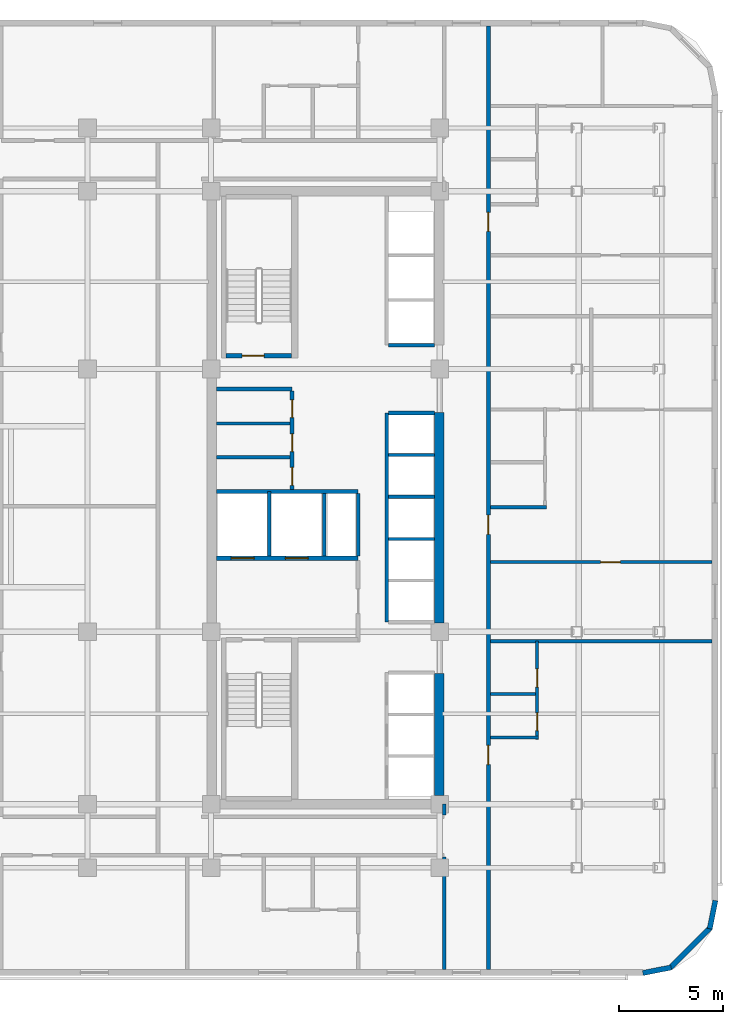
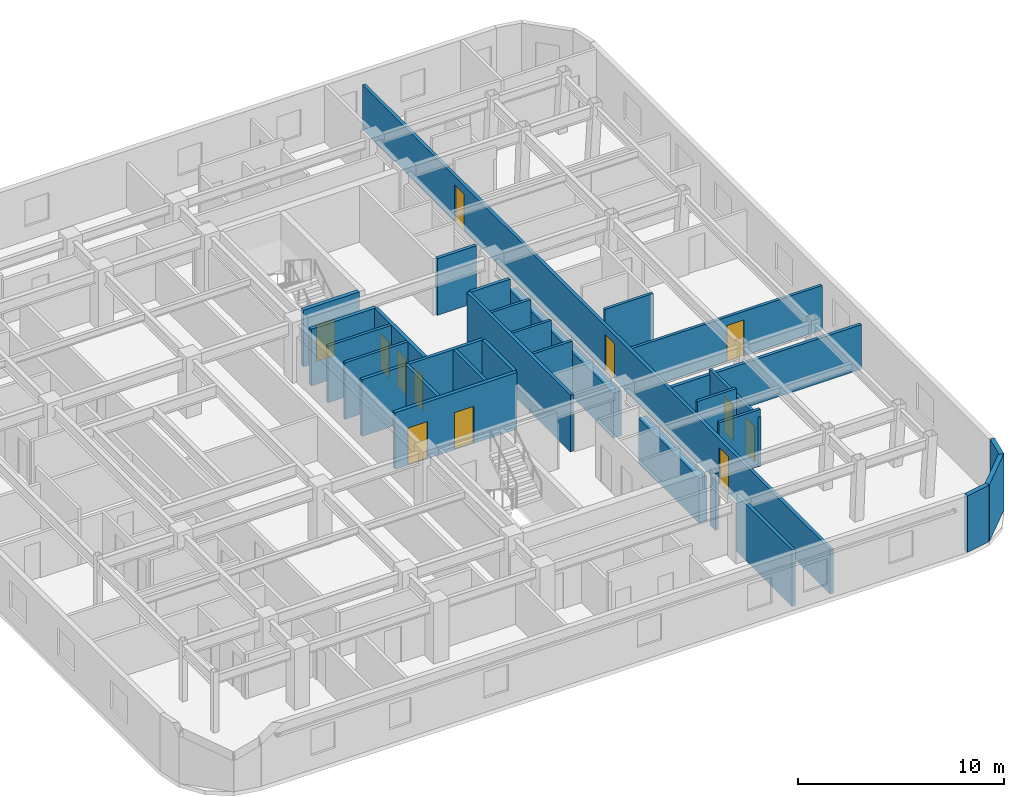
# One storey, part 8 of 14: 30 walls, 12 doors, 12 openings.
"""IFC4 building model written with IfcOpenShell, lengths in metres."""

from ifc_helpers import new_model, si_unit, direction, frame, frame_2d, origin, place, context, subcontext, project, spatial, rectangle, extrude, material, layer, layer_set, type_object, element, fill, save


model = new_model("IFC4")

# Units and contexts
model_context = context("Model", 3, precision=1e-05, world=origin(), true_north=direction((0.0, 1.0)))
body_context = subcontext(model_context, "Body", "Model", "MODEL_VIEW")
ifc_project = project(units=[si_unit("LENGTHUNIT", "METRE"), si_unit("AREAUNIT", "SQUARE_METRE"), si_unit("VOLUMEUNIT", "CUBIC_METRE"), si_unit("PLANEANGLEUNIT", "RADIAN"), si_unit("MASSUNIT", "GRAM", prefix="KILO")], contexts=[model_context])

# Site, building, storey
site_placement = place(None, origin())
site = spatial("IfcSite", under=ifc_project, at=site_placement, CompositionType="ELEMENT")
building_placement = place(site_placement, origin())
building = spatial("IfcBuilding", under=site, at=building_placement, Name="Ochreholt Gables", CompositionType="ELEMENT")
storey_placement = place(building_placement, frame((0.0, 0.0, 52.800048828125)))
storey = spatial("IfcBuildingStorey", under=building, at=storey_placement, Name="L13", CompositionType="ELEMENT", Elevation=52.800048828125)

# Walls
ifc_material_1 = material(Name="Concrete 60 MPa", Category="concrete")
ifc_layer_1 = layer(ifc_material_1, 0.449951171875, Name="Concrete 60 MPa")
ifc_layer_set_1 = layer_set([ifc_layer_1], Name="Concrete 60 MPa")
wall_type_1 = type_object("IfcWallType", Name="WALL-CSW-450", PredefinedType="SHEAR", material=ifc_layer_set_1)
wall_1_placement = place(storey_placement, frame((35.175048828125, 9.675048828125, 0.0), z_axis=(0.0, 0.0, 1.0), x_axis=(0.0, 1.0, 0.0)))
element("IfcWall", 1, at=wall_1_placement, inside=storey, type_object=wall_type_1, Name="L13 Core South-East Shear Wall", PredefinedType="SHEAR", context=body_context, shape_type="SweptSolid", body=[
    extrude(rectangle(XDim=5.875, YDim=0.449951171875, at=frame_2d((2.9375, 0.0))), origin(), (0.0, 0.0, 1.0), 2.6669921875),
])
wall_2_placement = place(storey_placement, frame((35.175048828125, 17.97509765625, 0.0), z_axis=(0.0, 0.0, 1.0), x_axis=(0.0, 1.0, 0.0)))
element("IfcWall", 2, at=wall_2_placement, inside=storey, type_object=wall_type_1, Name="L13 Core Central-East Shear Wall", PredefinedType="SHEAR", context=body_context, shape_type="SweptSolid", body=[
    extrude(rectangle(XDim=10.125, YDim=0.449951171875, at=frame_2d((5.0625, 0.0))), origin(), (0.0, 0.0, 1.0), 2.6669921875),
])
ifc_material_2 = material(Name="Precast concrete 40 MPa", Category="concrete")
ifc_layer_2 = layer(ifc_material_2, 0.25, Name="Precast concrete 40 MPa")
ifc_layer_set_2 = layer_set([ifc_layer_2], Name="Precast concrete 40 MPa")
wall_type_2 = type_object("IfcWallType", Name="WALL-EXT-CNR", PredefinedType="SOLIDWALL", material=ifc_layer_set_2)
wall_3_placement = place(storey_placement, frame((44.9833984375, 1.124267578125, 0.0), z_axis=(0.0, 0.0, 1.0), x_axis=(0.980809899341, 0.19496651342, 0.0)))
element("IfcWall", 3, at=wall_3_placement, inside=storey, type_object=wall_type_2, Name="L13 Rounded Corner Wall SE-1", PredefinedType="SOLIDWALL", context=body_context, shape_type="SweptSolid", body=[
    extrude(rectangle(XDim=1.388671875, YDim=0.25, at=frame_2d((0.6943359375, 0.0))), origin(), (0.0, 0.0, 1.0), 3.35986328125),
])
wall_4_placement = place(storey_placement, frame((46.294921875, 1.367919921875, 0.0), z_axis=(0.0, 0.0, 1.0), x_axis=(0.707106781187, 0.707106781187, 0.0)))
element("IfcWall", 4, at=wall_4_placement, inside=storey, type_object=wall_type_2, Name="L13 Rounded Corner Wall SE-2", PredefinedType="SOLIDWALL", context=body_context, shape_type="SweptSolid", body=[
    extrude(rectangle(XDim=2.7392578125, YDim=0.25, at=frame_2d((1.36962890625, 0.0))), origin(), (0.0, 0.0, 1.0), 3.35986328125),
])
wall_5_placement = place(storey_placement, frame((48.205078125, 3.25439453125, 0.0), z_axis=(0.0, 0.0, 1.0), x_axis=(0.19496651342, 0.980809899341, 0.0)))
element("IfcWall", 5, at=wall_5_placement, inside=storey, type_object=wall_type_2, Name="L13 Rounded Corner Wall SE-3", PredefinedType="SOLIDWALL", context=body_context, shape_type="SweptSolid", body=[
    extrude(rectangle(XDim=1.388671875, YDim=0.25, at=frame_2d((0.6943359375, 0.0))), origin(), (0.0, 0.0, 1.0), 3.35986328125),
])

# Wall, openings, doors
ifc_material_3 = material(Name="Concrete 40 MPa", Category="concrete")
ifc_layer_3 = layer(ifc_material_3, 0.199951171875, Name="Concrete 40 MPa")
ifc_layer_set_3 = layer_set([ifc_layer_3], Name="Concrete 40 MPa")
wall_type_3 = type_object("IfcWallType", Name="WALL-INT-CF200", PredefinedType="STANDARD", material=ifc_layer_set_3)
wall_6_placement = place(storey_placement, frame((24.449951171875, 21.090087890625, 0.0), z_axis=(0.0, 0.0, 1.0), x_axis=(1.0, 0.0, 0.0)))
wall_6 = element("IfcWall", 6, at=wall_6_placement, inside=storey, type_object=wall_type_3, Name="L13 Interior Wall WI-FFN-L13", PredefinedType="STANDARD", context=body_context, shape_type="SweptSolid", body=[
    extrude(rectangle(XDim=6.830078125, YDim=0.199951171875, at=frame_2d((3.4150390625, 0.0))), origin(), (0.0, 0.0, 1.0), 3.35986328125),
])
opening_1_placement = place(wall_6_placement, frame((0.719970703125, 0.0, 0.0)))
opening_1 = element("IfcOpeningElement", 7, at=opening_1_placement, cuts=wall_6, Name="Opening LD-FF", PredefinedType="OPENING", context=body_context, shape_type="SweptSolid", body=[
    extrude(rectangle(XDim=1.10009765625, YDim=2.199951171875, at=frame_2d((0.550048828125, 1.10009765625))), frame((0.0, 0.10986328125, 0.0), z_axis=(0.0, -1.0, 0.0), x_axis=(1.0, 0.0, 0.0)), (0.0, 0.0, 1.0), 0.219970703125),
])
opening_2_placement = place(wall_6_placement, frame((3.320068359375, 0.0, 0.0)))
opening_2 = element("IfcOpeningElement", 8, at=opening_2_placement, cuts=wall_6, Name="Opening LD-FF", PredefinedType="OPENING", context=body_context, shape_type="SweptSolid", body=[
    extrude(rectangle(XDim=1.10009765625, YDim=2.199951171875, at=frame_2d((0.550048828125, 1.10009765625))), frame((0.0, 0.10986328125, 0.0), z_axis=(0.0, -1.0, 0.0), x_axis=(1.0, 0.0, 0.0)), (0.0, 0.0, 1.0), 0.219970703125),
])
ifc_material_4 = material(Name="Stainless Steel", Category="steel")
door_type_1 = type_object("IfcDoorType", Name="DR-LFT-FF1100", OperationType="NOTDEFINED", PredefinedType="DOOR", material=ifc_material_4)
door_1_placement = place(opening_1_placement, origin())
door_1 = element("IfcDoor", 9, at=door_1_placement, inside=storey, type_object=door_type_1, Name="L13 Door LD-FF1-L13", OperationType="SLIDING_TO_LEFT", OverallHeight=2.199951171875, OverallWidth=1.10009765625, PredefinedType="DOOR", context=body_context, shape_type="SweptSolid", body=[
    extrude(rectangle(XDim=1.10009765625, YDim=2.199951171875, at=frame_2d((0.550048828125, 1.10009765625))), frame((0.0, 0.02490234375, 0.0), z_axis=(0.0, -1.0, 0.0), x_axis=(1.0, 0.0, 0.0)), (0.0, 0.0, 1.0), 0.050048828125),
])
fill(opening_1, door_1)
door_2_placement = place(opening_2_placement, origin())
door_2 = element("IfcDoor", 10, at=door_2_placement, inside=storey, type_object=door_type_1, Name="L13 Door LD-FF2-L13", OperationType="SLIDING_TO_LEFT", OverallHeight=2.199951171875, OverallWidth=1.10009765625, PredefinedType="DOOR", context=body_context, shape_type="SweptSolid", body=[
    extrude(rectangle(XDim=1.10009765625, YDim=2.199951171875, at=frame_2d((0.550048828125, 1.10009765625))), frame((0.0, 0.02490234375, 0.0), z_axis=(0.0, -1.0, 0.0), x_axis=(1.0, 0.0, 0.0)), (0.0, 0.0, 1.0), 0.050048828125),
])
fill(opening_2, door_2)

# Wall
wall_7_placement = place(storey_placement, frame((24.449951171875, 29.239990234375, 0.0), z_axis=(0.0, 0.0, 1.0), x_axis=(1.0, 0.0, 0.0)))
element("IfcWall", 11, at=wall_7_placement, inside=storey, type_object=wall_type_3, Name="L13 Interior Wall WI-SRVN-L13", PredefinedType="STANDARD", context=body_context, shape_type="SweptSolid", body=[
    extrude(rectangle(XDim=3.650146484375, YDim=0.199951171875, at=frame_2d((1.8251953125, 0.0))), origin(), (0.0, 0.0, 1.0), 3.35986328125),
])

# Wall, openings, doors
wall_8_placement = place(storey_placement, frame((28.10009765625, 24.389892578125, 0.0), z_axis=(0.0, 0.0, 1.0), x_axis=(0.0, 1.0, 0.0)))
wall_8 = element("IfcWall", 12, at=wall_8_placement, inside=storey, type_object=wall_type_3, Name="L13 Interior Wall WI-SRVE-L13", PredefinedType="STANDARD", context=body_context, shape_type="SweptSolid", body=[
    extrude(rectangle(XDim=4.75, YDim=0.199951171875, at=frame_2d((2.375, 0.0))), origin(), (0.0, 0.0, 1.0), 3.35986328125),
])
opening_3_placement = place(wall_8_placement, frame((0.2099609375, 0.0, 0.0)))
opening_3 = element("IfcOpeningElement", 13, at=opening_3_placement, cuts=wall_8, Name="Opening D-SV2", PredefinedType="OPENING", context=body_context, shape_type="SweptSolid", body=[
    extrude(rectangle(XDim=0.860107421875, YDim=2.10009765625, at=frame_2d((0.43017578125, 1.050048828125))), frame((0.0, 0.10986328125, 0.0), z_axis=(0.0, -1.0, 0.0), x_axis=(1.0, 0.0, 0.0)), (0.0, 0.0, 1.0), 0.219970703125),
])
opening_4_placement = place(wall_8_placement, frame((1.830078125, 0.0, 0.0)))
opening_4 = element("IfcOpeningElement", 14, at=opening_4_placement, cuts=wall_8, Name="Opening D-SV2", PredefinedType="OPENING", context=body_context, shape_type="SweptSolid", body=[
    extrude(rectangle(XDim=0.860107421875, YDim=2.10009765625, at=frame_2d((0.43017578125, 1.050048828125))), frame((0.0, 0.10986328125, 0.0), z_axis=(0.0, -1.0, 0.0), x_axis=(1.0, 0.0, 0.0)), (0.0, 0.0, 1.0), 0.219970703125),
])
opening_5_placement = place(wall_8_placement, frame((3.469970703125, 0.0, 0.0)))
opening_5 = element("IfcOpeningElement", 15, at=opening_5_placement, cuts=wall_8, Name="Opening D-SV2", PredefinedType="OPENING", context=body_context, shape_type="SweptSolid", body=[
    extrude(rectangle(XDim=0.860107421875, YDim=2.10009765625, at=frame_2d((0.43017578125, 1.050048828125))), frame((0.0, 0.10986328125, 0.0), z_axis=(0.0, -1.0, 0.0), x_axis=(1.0, 0.0, 0.0)), (0.0, 0.0, 1.0), 0.219970703125),
])
ifc_material_5 = material(Name="Hollow Metal Steel", Category="steel")
door_type_2 = type_object("IfcDoorType", Name="DR-INT-SRV860", OperationType="NOTDEFINED", PredefinedType="DOOR", material=ifc_material_5)
door_3_placement = place(opening_3_placement, origin())
door_3 = element("IfcDoor", 16, at=door_3_placement, inside=storey, type_object=door_type_2, Name="L13 Door D-SRV1-L13", OperationType="SINGLE_SWING_LEFT", OverallHeight=2.10009765625, OverallWidth=0.860107421875, PredefinedType="DOOR", context=body_context, shape_type="SweptSolid", body=[
    extrude(rectangle(XDim=0.860107421875, YDim=2.10009765625, at=frame_2d((0.43017578125, 1.050048828125))), frame((0.0, 0.02490234375, 0.0), z_axis=(0.0, -1.0, 0.0), x_axis=(1.0, 0.0, 0.0)), (0.0, 0.0, 1.0), 0.050048828125),
])
fill(opening_3, door_3)
door_4_placement = place(opening_4_placement, origin())
door_4 = element("IfcDoor", 17, at=door_4_placement, inside=storey, type_object=door_type_2, Name="L13 Door D-SRV2-L13", OperationType="SINGLE_SWING_RIGHT", OverallHeight=2.10009765625, OverallWidth=0.860107421875, PredefinedType="DOOR", context=body_context, shape_type="SweptSolid", body=[
    extrude(rectangle(XDim=0.860107421875, YDim=2.10009765625, at=frame_2d((0.43017578125, 1.050048828125))), frame((0.0, 0.02490234375, 0.0), z_axis=(0.0, -1.0, 0.0), x_axis=(1.0, 0.0, 0.0)), (0.0, 0.0, 1.0), 0.050048828125),
])
fill(opening_4, door_4)
door_5_placement = place(opening_5_placement, origin())
door_5 = element("IfcDoor", 18, at=door_5_placement, inside=storey, type_object=door_type_2, Name="L13 Door D-SRV3-L13", OperationType="SINGLE_SWING_LEFT", OverallHeight=2.10009765625, OverallWidth=0.860107421875, PredefinedType="DOOR", context=body_context, shape_type="SweptSolid", body=[
    extrude(rectangle(XDim=0.860107421875, YDim=2.10009765625, at=frame_2d((0.43017578125, 1.050048828125))), frame((0.0, 0.02490234375, 0.0), z_axis=(0.0, -1.0, 0.0), x_axis=(1.0, 0.0, 0.0)), (0.0, 0.0, 1.0), 0.050048828125),
])
fill(opening_5, door_5)

ifc_material_6 = material(Name="Fire-Rated Gypsum Acoustic Partition", Category="gypsum")
ifc_layer_4 = layer(ifc_material_6, 0.179931640625, Name="Fire-Rated Gypsum Acoustic Partition")
ifc_layer_set_4 = layer_set([ifc_layer_4], Name="Fire-Rated Gypsum Acoustic Partition")
wall_type_4 = type_object("IfcWallType", Name="WALL-INT-CR180", PredefinedType="STANDARD", material=ifc_layer_set_4)
wall_9_placement = place(storey_placement, frame((37.550048828125, 1.2900390625, 0.0), z_axis=(0.0, 0.0, 1.0), x_axis=(0.0, 1.0, 0.0)))
wall_9 = element("IfcWall", 19, at=wall_9_placement, inside=storey, type_object=wall_type_4, Name="L13 Interior Wall WI-C1E-L13", PredefinedType="STANDARD", context=body_context, shape_type="SweptSolid", body=[
    extrude(rectangle(XDim=45.419921875, YDim=0.179931640625, at=frame_2d((22.7099609375, 0.0))), origin(), (0.0, 0.0, 1.0), 2.64892578125),
])
opening_6_placement = place(wall_9_placement, frame((9.8701171875, 0.0, 0.0)))
opening_6 = element("IfcOpeningElement", 20, at=opening_6_placement, cuts=wall_9, Name="Opening D-UN1", PredefinedType="OPENING", context=body_context, shape_type="SweptSolid", body=[
    extrude(rectangle(XDim=0.919921875, YDim=2.14990234375, at=frame_2d((0.4599609375, 1.074951171875))), frame((0.0, 0.099853515625, 0.0), z_axis=(0.0, -1.0, 0.0), x_axis=(1.0, 0.0, 0.0)), (0.0, 0.0, 1.0), 0.199951171875),
])
opening_7_placement = place(wall_9_placement, frame((20.952880859375, 0.0, 0.0)))
opening_7 = element("IfcOpeningElement", 21, at=opening_7_placement, cuts=wall_9, Name="Opening D-UN1", PredefinedType="OPENING", context=body_context, shape_type="SweptSolid", body=[
    extrude(rectangle(XDim=0.919921875, YDim=2.14990234375, at=frame_2d((0.4599609375, 1.074951171875))), frame((0.0, 0.099853515625, 0.0), z_axis=(0.0, -1.0, 0.0), x_axis=(1.0, 0.0, 0.0)), (0.0, 0.0, 1.0), 0.199951171875),
])
opening_8_placement = place(wall_9_placement, frame((35.534423828125, 0.0, 0.0)))
opening_8 = element("IfcOpeningElement", 22, at=opening_8_placement, cuts=wall_9, Name="Opening D-UN1", PredefinedType="OPENING", context=body_context, shape_type="SweptSolid", body=[
    extrude(rectangle(XDim=0.919921875, YDim=2.14990234375, at=frame_2d((0.4599609375, 1.074951171875))), frame((0.0, 0.099853515625, 0.0), z_axis=(0.0, -1.0, 0.0), x_axis=(1.0, 0.0, 0.0)), (0.0, 0.0, 1.0), 0.199951171875),
])
ifc_material_7 = material(Name="Engineered Oak Timber", Category="wood")
door_type_3 = type_object("IfcDoorType", Name="DR-INT-UNT920", OperationType="NOTDEFINED", PredefinedType="DOOR", material=ifc_material_7)
door_6_placement = place(opening_6_placement, origin())
door_6 = element("IfcDoor", 23, at=door_6_placement, inside=storey, type_object=door_type_3, Name="L13 Door D-U-L13E1-ENT", OperationType="SINGLE_SWING_RIGHT", OverallHeight=2.14990234375, OverallWidth=0.919921875, PredefinedType="DOOR", context=body_context, shape_type="SweptSolid", body=[
    extrude(rectangle(XDim=0.919921875, YDim=2.14990234375, at=frame_2d((0.4599609375, 1.074951171875))), frame((0.0, 0.02490234375, 0.0), z_axis=(0.0, -1.0, 0.0), x_axis=(1.0, 0.0, 0.0)), (0.0, 0.0, 1.0), 0.050048828125),
])
fill(opening_6, door_6)
door_7_placement = place(opening_7_placement, origin())
door_7 = element("IfcDoor", 24, at=door_7_placement, inside=storey, type_object=door_type_3, Name="L13 Door D-U-L13E2-ENT", OperationType="SINGLE_SWING_LEFT", OverallHeight=2.14990234375, OverallWidth=0.919921875, PredefinedType="DOOR", context=body_context, shape_type="SweptSolid", body=[
    extrude(rectangle(XDim=0.919921875, YDim=2.14990234375, at=frame_2d((0.4599609375, 1.074951171875))), frame((0.0, 0.02490234375, 0.0), z_axis=(0.0, -1.0, 0.0), x_axis=(1.0, 0.0, 0.0)), (0.0, 0.0, 1.0), 0.050048828125),
])
fill(opening_7, door_7)
door_8_placement = place(opening_8_placement, origin())
door_8 = element("IfcDoor", 25, at=door_8_placement, inside=storey, type_object=door_type_3, Name="L13 Door D-U-L13E3-ENT", OperationType="SINGLE_SWING_RIGHT", OverallHeight=2.14990234375, OverallWidth=0.919921875, PredefinedType="DOOR", context=body_context, shape_type="SweptSolid", body=[
    extrude(rectangle(XDim=0.919921875, YDim=2.14990234375, at=frame_2d((0.4599609375, 1.074951171875))), frame((0.0, 0.02490234375, 0.0), z_axis=(0.0, -1.0, 0.0), x_axis=(1.0, 0.0, 0.0)), (0.0, 0.0, 1.0), 0.050048828125),
])
fill(opening_8, door_8)

# Walls
wall_10_placement = place(storey_placement, frame((35.419921875, 8.739990234375, 0.0), z_axis=(0.0, 0.0, 1.0), x_axis=(0.0, 1.0, 0.0)))
element("IfcWall", 26, at=wall_10_placement, inside=storey, type_object=wall_type_4, Name="L13 Interior Wall WI-C1ESW2-L13", PredefinedType="STANDARD", context=body_context, shape_type="SweptSolid", body=[
    extrude(rectangle(XDim=0.510009765625, YDim=0.179931640625, at=frame_2d((0.2548828125, 0.0))), origin(), (0.0, 0.0, 1.0), 3.35986328125),
])
ifc_material_8 = material(Name="Double-Stud Acoustic Demising Wall", Category="gypsum")
ifc_layer_5 = layer(ifc_material_8, 0.179931640625, Name="Double-Stud Acoustic Demising Wall")
ifc_layer_set_5 = layer_set([ifc_layer_5], Name="Double-Stud Acoustic Demising Wall")
wall_type_5 = type_object("IfcWallType", Name="WALL-INT-DM180", PredefinedType="PARTITIONING", material=ifc_layer_set_5)
wall_11_placement = place(storey_placement, frame((35.419921875, 1.2900390625, 0.0), z_axis=(0.0, 0.0, 1.0), x_axis=(0.0, 1.0, 0.0)))
element("IfcWall", 27, at=wall_11_placement, inside=storey, type_object=wall_type_5, Name="L13 Interior Wall WI-C1ESW-L13", PredefinedType="PARTITIONING", context=body_context, shape_type="SweptSolid", body=[
    extrude(rectangle(XDim=5.419921875, YDim=0.179931640625, at=frame_2d((2.7099609375, 0.0))), origin(), (0.0, 0.0, 1.0), 3.35986328125),
])
wall_12_placement = place(storey_placement, frame((37.639892578125, 17.10009765625, 0.0), z_axis=(0.0, 0.0, 1.0), x_axis=(1.0, 0.0, 0.0)))
element("IfcWall", 28, at=wall_12_placement, inside=storey, type_object=wall_type_5, Name="L13 Interior Wall WI-UDE2-L13", PredefinedType="PARTITIONING", context=body_context, shape_type="SweptSolid", body=[
    extrude(rectangle(XDim=10.670166015625, YDim=0.179931640625, at=frame_2d((5.3349609375, 0.0))), origin(), (0.0, 0.0, 1.0), 2.64892578125),
])
ifc_material_9 = material(Name="Moisture-Resistant Plumbing Chase Wall", Category="gypsum")
ifc_layer_6 = layer(ifc_material_9, 0.159912109375, Name="Moisture-Resistant Plumbing Chase Wall")
ifc_layer_set_6 = layer_set([ifc_layer_6], Name="Moisture-Resistant Plumbing Chase Wall")
wall_type_6 = type_object("IfcWallType", Name="WALL-INT-PL160", PredefinedType="PLUMBINGWALL", material=ifc_layer_set_6)
wall_13_placement = place(storey_placement, frame((37.639892578125, 12.4599609375, 0.0), z_axis=(0.0, 0.0, 1.0), x_axis=(1.0, 0.0, 0.0)))
element("IfcWall", 29, at=wall_13_placement, inside=storey, type_object=wall_type_6, Name="L13 Interior Wall WU-L13E1-WYS", PredefinedType="PLUMBINGWALL", context=body_context, shape_type="SweptSolid", body=[
    extrude(rectangle(XDim=2.330078125, YDim=0.159912109375, at=frame_2d((1.1650390625, 0.0))), origin(), (0.0, 0.0, 1.0), 3.35986328125),
])

# Wall, openings, doors
wall_14_placement = place(storey_placement, frame((39.889892578125, 12.3701171875, 0.0), z_axis=(0.0, 0.0, 1.0), x_axis=(0.0, 1.0, 0.0)))
wall_14 = element("IfcWall", 30, at=wall_14_placement, inside=storey, type_object=wall_type_6, Name="L13 Interior Wall WU-L13E1-WX", PredefinedType="PLUMBINGWALL", context=body_context, shape_type="SweptSolid", body=[
    extrude(rectangle(XDim=4.72998046875, YDim=0.159912109375, at=frame_2d((2.364990234375, 0.0))), origin(), (0.0, 0.0, 1.0), 2.931884765625),
])
opening_9_placement = place(wall_14_placement, frame((0.419921875, 0.0, 0.0)))
opening_9 = element("IfcOpeningElement", 31, at=opening_9_placement, cuts=wall_14, Name="Opening D-BT1", PredefinedType="OPENING", context=body_context, shape_type="SweptSolid", body=[
    extrude(rectangle(XDim=0.860107421875, YDim=2.1201171875, at=frame_2d((0.43017578125, 1.06005859375))), frame((0.0, 0.08984375, 0.0), z_axis=(0.0, -1.0, 0.0), x_axis=(1.0, 0.0, 0.0)), (0.0, 0.0, 1.0), 0.179931640625),
])
opening_10_placement = place(wall_14_placement, frame((2.512939453125, 0.0, 0.0)))
opening_10 = element("IfcOpeningElement", 32, at=opening_10_placement, cuts=wall_14, Name="Opening D-GN2", PredefinedType="OPENING", context=body_context, shape_type="SweptSolid", body=[
    extrude(rectangle(XDim=0.8798828125, YDim=2.1201171875, at=frame_2d((0.43994140625, 1.06005859375))), frame((0.0, 0.08984375, 0.0), z_axis=(0.0, -1.0, 0.0), x_axis=(1.0, 0.0, 0.0)), (0.0, 0.0, 1.0), 0.179931640625),
])
door_type_4 = type_object("IfcDoorType", Name="DR-INT-BTH860", OperationType="NOTDEFINED", PredefinedType="DOOR", material=ifc_material_7)
door_9_placement = place(opening_9_placement, origin())
door_9 = element("IfcDoor", 33, at=door_9_placement, inside=storey, type_object=door_type_4, Name="L13 Door D-U-L13E1-BTH", OperationType="SINGLE_SWING_LEFT", OverallHeight=2.1201171875, OverallWidth=0.860107421875, PredefinedType="DOOR", context=body_context, shape_type="SweptSolid", body=[
    extrude(rectangle(XDim=0.860107421875, YDim=2.1201171875, at=frame_2d((0.43017578125, 1.06005859375))), frame((0.0, 0.02490234375, 0.0), z_axis=(0.0, -1.0, 0.0), x_axis=(1.0, 0.0, 0.0)), (0.0, 0.0, 1.0), 0.050048828125),
])
fill(opening_9, door_9)
door_type_5 = type_object("IfcDoorType", Name="DR-INT-GEN880", OperationType="NOTDEFINED", PredefinedType="DOOR", material=ifc_material_7)
door_10_placement = place(opening_10_placement, origin())
door_10 = element("IfcDoor", 34, at=door_10_placement, inside=storey, type_object=door_type_5, Name="L13 Door D-U-L13E1-KIT", OperationType="SINGLE_SWING_RIGHT", OverallHeight=2.1201171875, OverallWidth=0.8798828125, PredefinedType="DOOR", context=body_context, shape_type="SweptSolid", body=[
    extrude(rectangle(XDim=0.8798828125, YDim=2.1201171875, at=frame_2d((0.43994140625, 1.06005859375))), frame((0.0, 0.02490234375, 0.0), z_axis=(0.0, -1.0, 0.0), x_axis=(1.0, 0.0, 0.0)), (0.0, 0.0, 1.0), 0.050048828125),
])
fill(opening_10, door_10)

# Walls
wall_15_placement = place(storey_placement, frame((37.639892578125, 14.552978515625, 0.0), z_axis=(0.0, 0.0, 1.0), x_axis=(1.0, 0.0, 0.0)))
element("IfcWall", 35, at=wall_15_placement, inside=storey, type_object=wall_type_6, Name="L13 Interior Wall WU-L13E1-WM", PredefinedType="PLUMBINGWALL", context=body_context, shape_type="SweptSolid", body=[
    extrude(rectangle(XDim=2.170166015625, YDim=0.159912109375, at=frame_2d((1.0849609375, 0.0))), origin(), (0.0, 0.0, 1.0), 3.35986328125),
])
wall_16_placement = place(storey_placement, frame((37.639892578125, 23.54296875, 0.0), z_axis=(0.0, 0.0, 1.0), x_axis=(1.0, 0.0, 0.0)))
element("IfcWall", 36, at=wall_16_placement, inside=storey, type_object=wall_type_6, Name="L13 Interior Wall WU-L13E2-FYS", PredefinedType="PLUMBINGWALL", context=body_context, shape_type="SweptSolid", body=[
    extrude(rectangle(XDim=2.712158203125, YDim=0.159912109375, at=frame_2d((1.35595703125, 0.0))), origin(), (0.0, 0.0, 1.0), 3.35986328125),
])
ifc_material_10 = material(Name="Gypsum Acoustic Stud Partition", Category="gypsum")
ifc_layer_7 = layer(ifc_material_10, 0.159912109375, Name="Gypsum Acoustic Stud Partition")
ifc_layer_set_7 = layer_set([ifc_layer_7], Name="Gypsum Acoustic Stud Partition")
wall_type_7 = type_object("IfcWallType", Name="WALL-INT-PT160", PredefinedType="PARTITIONING", material=ifc_layer_set_7)
for number, where, z_axis, x_axis, name in (
    (37, (24.449951171875, 25.949951171875, 0.0), (0.0, 0.0, 1.0), (1.0, 0.0, 0.0), "L13 Interior Wall WI-SRVP1-L13"),
    (38, (24.449951171875, 27.580078125, 0.0), (0.0, 0.0, 1.0), (1.0, 0.0, 0.0), "L13 Interior Wall WI-SRVP2-L13"),
):
    element("IfcWall", number, at=place(storey_placement, frame(where, z_axis=z_axis, x_axis=x_axis)), inside=storey, type_object=wall_type_7, Name=name, PredefinedType="PARTITIONING", context=body_context, shape_type="SweptSolid", body=[
        extrude(rectangle(XDim=3.550048828125, YDim=0.159912109375, at=frame_2d((1.77490234375, 0.0))), origin(), (0.0, 0.0, 1.0), 3.35986328125),
    ])

# Wall, opening, door
wall_17_placement = place(storey_placement, frame((37.639892578125, 20.908447265625, 0.0), z_axis=(0.0, 0.0, 1.0), x_axis=(1.0, 0.0, 0.0)))
wall_17 = element("IfcWall", 39, at=wall_17_placement, inside=storey, type_object=wall_type_7, Name="L13 Interior Wall WU-L13E2-DNW", PredefinedType="PARTITIONING", context=body_context, shape_type="SweptSolid", body=[
    extrude(rectangle(XDim=10.670166015625, YDim=0.159912109375, at=frame_2d((5.3349609375, 0.0))), origin(), (0.0, 0.0, 1.0), 2.64892578125),
])
opening_11_placement = place(wall_17_placement, frame((5.31494140625, 0.0, 0.0)))
opening_11 = element("IfcOpeningElement", 40, at=opening_11_placement, cuts=wall_17, Name="Opening D-GN1", PredefinedType="OPENING", context=body_context, shape_type="SweptSolid", body=[
    extrude(rectangle(XDim=0.949951171875, YDim=2.14990234375, at=frame_2d((0.47509765625, 1.074951171875))), frame((0.0, 0.08984375, 0.0), z_axis=(0.0, -1.0, 0.0), x_axis=(1.0, 0.0, 0.0)), (0.0, 0.0, 1.0), 0.179931640625),
])
door_type_6 = type_object("IfcDoorType", Name="DR-INT-GEN950", OperationType="NOTDEFINED", PredefinedType="DOOR", material=ifc_material_7)
door_11_placement = place(opening_11_placement, origin())
door_11 = element("IfcDoor", 41, at=door_11_placement, inside=storey, type_object=door_type_6, Name="L13 Door D-U-L13E2-DIN", OperationType="SINGLE_SWING_RIGHT", OverallHeight=2.14990234375, OverallWidth=0.949951171875, PredefinedType="DOOR", context=body_context, shape_type="SweptSolid", body=[
    extrude(rectangle(XDim=0.949951171875, YDim=2.14990234375, at=frame_2d((0.47509765625, 1.074951171875))), frame((0.0, 0.02490234375, 0.0), z_axis=(0.0, -1.0, 0.0), x_axis=(1.0, 0.0, 0.0)), (0.0, 0.0, 1.0), 0.050048828125),
])
fill(opening_11, door_11)

# Walls
ifc_material_11 = material(Name="Gypsum Shaftliner and Steel Stud", Category="steel")
ifc_layer_8 = layer(ifc_material_11, 0.14990234375, Name="Gypsum Shaftliner and Steel Stud")
ifc_layer_set_8 = layer_set([ifc_layer_8], Name="Gypsum Shaftliner and Steel Stud")
wall_type_8 = type_object("IfcWallType", Name="WALL-INT-SH150", PredefinedType="STANDARD", material=ifc_layer_set_8)
for number, where, z_axis, x_axis, name in (
    (42, (32.739990234375, 22.02001953125, 0.0), (0.0, 0.0, 1.0), (1.0, 0.0, 0.0), "L13 Interior Wall WI-LFHE-DH2-L13"),
    (43, (32.739990234375, 24.050048828125, 0.0), (0.0, 0.0, 1.0), (1.0, 0.0, 0.0), "L13 Interior Wall WI-LFHE-DHE-L13"),
    (44, (32.739990234375, 26.070068359375, 0.0), (0.0, 0.0, 1.0), (1.0, 0.0, 0.0), "L13 Interior Wall WI-LFHE-DEX1-L13"),
):
    element("IfcWall", number, at=place(storey_placement, frame(where, z_axis=z_axis, x_axis=x_axis)), inside=storey, type_object=wall_type_8, Name=name, PredefinedType="STANDARD", context=body_context, shape_type="SweptSolid", body=[
        extrude(rectangle(XDim=2.2099609375, YDim=0.14990234375, at=frame_2d((1.10498046875, 0.0))), origin(), (0.0, 0.0, 1.0), 3.35986328125),
    ])
ifc_layer_9 = layer(ifc_material_11, 0.179931640625, Name="Gypsum Shaftliner and Steel Stud")
ifc_layer_set_9 = layer_set([ifc_layer_9], Name="Gypsum Shaftliner and Steel Stud")
wall_type_9 = type_object("IfcWallType", Name="WALL-INT-SH180", PredefinedType="STANDARD", material=ifc_layer_set_9)
wall_18_placement = place(storey_placement, frame((27.0, 21.18994140625, 0.0), z_axis=(0.0, 0.0, 1.0), x_axis=(0.0, 1.0, 0.0)))
element("IfcWall", 45, at=wall_18_placement, inside=storey, type_object=wall_type_9, Name="L13 Interior Wall WI-FFDIV-L13", PredefinedType="STANDARD", context=body_context, shape_type="SweptSolid", body=[
    extrude(rectangle(XDim=3.110107421875, YDim=0.179931640625, at=frame_2d((1.55517578125, 0.0))), origin(), (0.0, 0.0, 1.0), 3.35986328125),
])
wall_19_placement = place(storey_placement, frame((24.449951171875, 24.300048828125, 0.0), z_axis=(0.0, 0.0, 1.0), x_axis=(1.0, 0.0, 0.0)))
element("IfcWall", 46, at=wall_19_placement, inside=storey, type_object=wall_type_9, Name="L13 Interior Wall WI-FFBK-L13", PredefinedType="STANDARD", context=body_context, shape_type="SweptSolid", body=[
    extrude(rectangle(XDim=6.830078125, YDim=0.179931640625, at=frame_2d((3.4150390625, 0.0))), origin(), (0.0, 0.0, 1.0), 3.35986328125),
])
for number, where, z_axis, x_axis, name in (
    (47, (29.64990234375, 21.18994140625, 0.0), (0.0, 0.0, 1.0), (0.0, 1.0, 0.0), "L13 Interior Wall WI-FFSH-L13"),
    (48, (31.280029296875, 21.18994140625, 0.0), (0.0, 0.0, 1.0), (0.0, 1.0, 0.0), "L13 Interior Wall WI-RSE-L13"),
):
    element("IfcWall", number, at=place(storey_placement, frame(where, z_axis=z_axis, x_axis=x_axis)), inside=storey, type_object=wall_type_9, Name=name, PredefinedType="STANDARD", context=body_context, shape_type="SweptSolid", body=[
        extrude(rectangle(XDim=3.02001953125, YDim=0.179931640625, at=frame_2d((1.510009765625, 0.0))), origin(), (0.0, 0.0, 1.0), 3.35986328125),
    ])
wall_20_placement = place(storey_placement, frame((32.64990234375, 18.02001953125, 0.0), z_axis=(0.0, 0.0, 1.0), x_axis=(0.0, 1.0, 0.0)))
element("IfcWall", 49, at=wall_20_placement, inside=storey, type_object=wall_type_9, Name="L13 Interior Wall WI-LFHE-FR-L13", PredefinedType="STANDARD", context=body_context, shape_type="SweptSolid", body=[
    extrude(rectangle(XDim=10.06005859375, YDim=0.179931640625, at=frame_2d((5.030029296875, 0.0))), origin(), (0.0, 0.0, 1.0), 3.35986328125),
])
for number, where, z_axis, x_axis, name in (
    (50, (32.739990234375, 28.080078125, 0.0), (0.0, 0.0, 1.0), (1.0, 0.0, 0.0), "L13 Interior Wall WI-LFHE-N-L13"),
    (51, (32.739990234375, 31.35009765625, 0.0), (0.0, 0.0, 1.0), (1.0, 0.0, 0.0), "L13 Interior Wall WI-LFM-S-L13"),
):
    element("IfcWall", number, at=place(storey_placement, frame(where, z_axis=z_axis, x_axis=x_axis)), inside=storey, type_object=wall_type_9, Name=name, PredefinedType="STANDARD", context=body_context, shape_type="SweptSolid", body=[
        extrude(rectangle(XDim=2.2099609375, YDim=0.179931640625, at=frame_2d((1.10498046875, 0.0))), origin(), (0.0, 0.0, 1.0), 3.35986328125),
    ])

# Wall, opening, door
ifc_material_12 = material(Name="Concrete 50 MPa", Category="concrete")
ifc_layer_10 = layer(ifc_material_12, 0.219970703125, Name="Concrete 50 MPa")
ifc_layer_set_10 = layer_set([ifc_layer_10], Name="Concrete 50 MPa")
wall_type_10 = type_object("IfcWallType", Name="WALL-STW-220", PredefinedType="SHEAR", material=ifc_layer_set_10)
wall_21_placement = place(storey_placement, frame((24.919921875, 30.830078125, 0.0), z_axis=(0.0, 0.0, 1.0), x_axis=(1.0, 0.0, 0.0)))
wall_21 = element("IfcWall", 52, at=wall_21_placement, inside=storey, type_object=wall_type_10, Name="L13 Exit Stair 2 South Wall", PredefinedType="SHEAR", context=body_context, shape_type="SweptSolid", body=[
    extrude(rectangle(XDim=3.16015625, YDim=0.219970703125, at=frame_2d((1.580078125, 0.0))), origin(), (0.0, 0.0, 1.0), 3.35986328125),
])
opening_12_placement = place(wall_21_placement, frame((0.780029296875, 0.0, 0.0)))
opening_12 = element("IfcOpeningElement", 53, at=opening_12_placement, cuts=wall_21, Name="Opening D-STC", PredefinedType="OPENING", context=body_context, shape_type="SweptSolid", body=[
    extrude(rectangle(XDim=1.050048828125, YDim=2.14990234375, at=frame_2d((0.52490234375, 1.074951171875))), frame((0.0, 0.119873046875, 0.0), z_axis=(0.0, -1.0, 0.0), x_axis=(1.0, 0.0, 0.0)), (0.0, 0.0, 1.0), 0.239990234375),
])
door_type_7 = type_object("IfcDoorType", Name="DR-INT-ST1050", OperationType="NOTDEFINED", PredefinedType="DOOR", material=ifc_material_5)
door_12_placement = place(opening_12_placement, origin())
door_12 = element("IfcDoor", 54, at=door_12_placement, inside=storey, type_object=door_type_7, Name="L13 Door D-ST2-L13", OperationType="SINGLE_SWING_RIGHT", OverallHeight=2.14990234375, OverallWidth=1.050048828125, PredefinedType="DOOR", context=body_context, shape_type="SweptSolid", body=[
    extrude(rectangle(XDim=1.050048828125, YDim=2.14990234375, at=frame_2d((0.52490234375, 1.074951171875))), frame((0.0, 0.02490234375, 0.0), z_axis=(0.0, -1.0, 0.0), x_axis=(1.0, 0.0, 0.0)), (0.0, 0.0, 1.0), 0.050048828125),
])
fill(opening_12, door_12)

save(model, "model.ifc")
